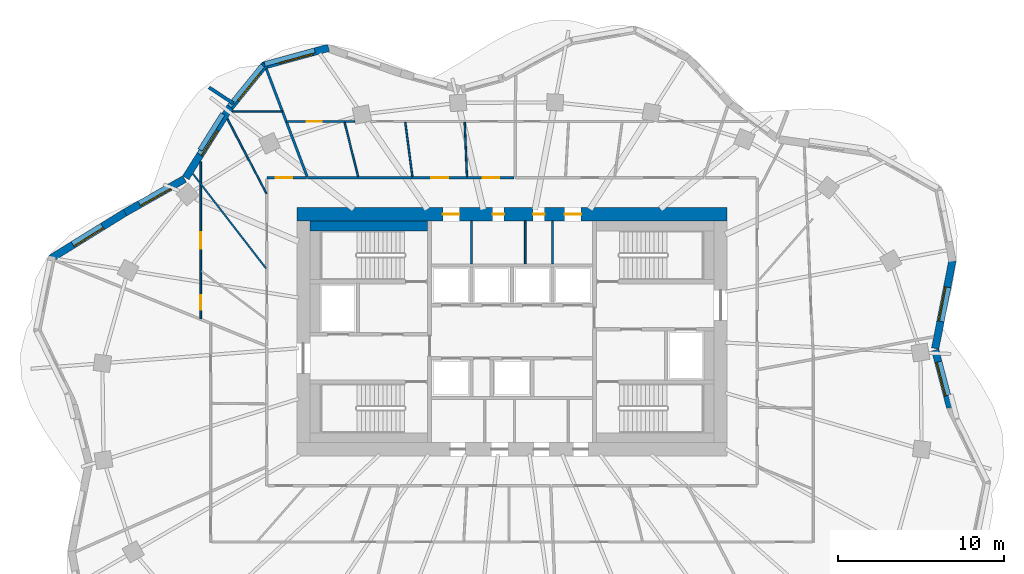
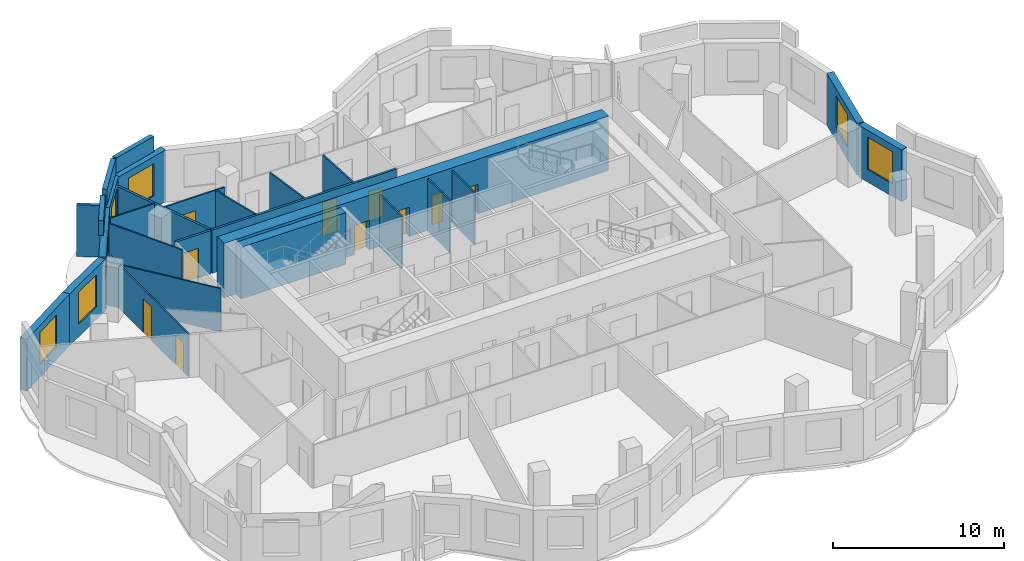
# One storey, part 7 of 10: 27 walls, 10 doors, 7 windows, 17 openings.
"""IFC4 building model written with IfcOpenShell, lengths in metres."""

from ifc_helpers import new_model, si_unit, direction, frame, frame_2d, origin, place, context, subcontext, project, spatial, rectangle, extrude, material, layer, layer_set, type_object, element, fill, save


model = new_model("IFC4")

# Units and contexts
model_context = context("Model", 3, precision=1e-05, world=origin(), true_north=direction((0.0, 1.0)))
body_context = subcontext(model_context, "Body", "Model", "MODEL_VIEW")
ifc_project = project(units=[si_unit("LENGTHUNIT", "METRE"), si_unit("AREAUNIT", "SQUARE_METRE"), si_unit("VOLUMEUNIT", "CUBIC_METRE"), si_unit("PLANEANGLEUNIT", "RADIAN"), si_unit("MASSUNIT", "GRAM", prefix="KILO")], contexts=[model_context])

# Site, building, storey
site_placement = place(None, origin())
site = spatial("IfcSite", under=ifc_project, at=site_placement, CompositionType="ELEMENT")
building_placement = place(site_placement, origin())
building = spatial("IfcBuilding", under=site, at=building_placement, Name="Rubra Terraces Tower", CompositionType="ELEMENT")
storey_placement = place(building_placement, frame((0.0, 0.0, 256.5)))
storey = spatial("IfcBuildingStorey", under=building, at=storey_placement, Name="L63", CompositionType="ELEMENT", Elevation=256.5)

# Wall, opening, window
ifc_material_1 = material(Name="Brick masonry red-brown", Category="masonry")
ifc_layer_1 = layer(ifc_material_1, 0.449951171875)
ifc_layer_set_1 = layer_set([ifc_layer_1], Name="Brick masonry red-brown")
wall_type_1 = type_object("IfcWallType", Name="Brick facade wall 450", PredefinedType="SOLIDWALL", material=ifc_layer_set_1)
wall_1_placement = place(storey_placement, frame((26.469482421875, -0.0791015625, 0.0), z_axis=(0.0, 0.0, 1.0), x_axis=(-0.252446779859, 0.967610780913, 0.0)))
wall_1 = element("IfcWall", 1, at=wall_1_placement, inside=storey, type_object=wall_type_1, Name="Facade wall L63 bay 1", PredefinedType="SOLIDWALL", context=body_context, shape_type="SweptSolid", body=[
    extrude(rectangle(XDim=3.5947265625, YDim=0.449951171875, at=frame_2d((1.79736328125, 0.0))), origin(), (0.0, 0.0, 1.0), 3.699951171875),
])
opening_1_placement = place(wall_1_placement, frame((0.747314453125, 0.0, 0.89990234375)))
opening_1 = element("IfcOpeningElement", 2, at=opening_1_placement, cuts=wall_1, Name="Opening W1B", PredefinedType="OPENING", context=body_context, shape_type="SweptSolid", body=[
    extrude(rectangle(XDim=2.10009765625, YDim=2.300048828125, at=frame_2d((1.050048828125, 1.14990234375))), frame((0.0, 0.23486328125, 0.0), z_axis=(0.0, -1.0, 0.0), x_axis=(1.0, 0.0, 0.0)), (0.0, 0.0, 1.0), 0.469970703125),
])
ifc_material_2 = material(Name="Clear glass in aluminium frame", Category="aluminium")
window_type_1 = type_object("IfcWindowType", Name="Fixed deep-set window tall storey 2100 x 2300", PartitioningType="SINGLE_PANEL", PredefinedType="WINDOW", material=ifc_material_2)
window_1_placement = place(opening_1_placement, origin())
window_1 = element("IfcWindow", 3, at=window_1_placement, inside=storey, type_object=window_type_1, Name="Window L63 bay 1", OverallHeight=2.300048828125, OverallWidth=2.10009765625, PartitioningType="SINGLE_PANEL", PredefinedType="WINDOW", context=body_context, shape_type="SweptSolid", body=[
    extrude(rectangle(XDim=2.10009765625, YDim=2.300048828125, at=frame_2d((1.050048828125, 1.14990234375))), frame((0.0, 0.135009765625, 0.0), z_axis=(0.0, -1.0, 0.0), x_axis=(1.0, 0.0, 0.0)), (0.0, 0.0, 1.0), 0.06005859375),
])
fill(opening_1, window_1)

wall_2_placement = place(storey_placement, frame((25.561279296875, 3.490478515625, 0.0), z_axis=(0.0, 0.0, 1.0), x_axis=(0.192494026297, 0.981298145234, 0.0)))
wall_2 = element("IfcWall", 4, at=wall_2_placement, inside=storey, type_object=wall_type_1, Name="Facade wall L63 bay 2", PredefinedType="SOLIDWALL", context=body_context, shape_type="SweptSolid", body=[
    extrude(rectangle(XDim=5.446044921875, YDim=0.449951171875, at=frame_2d((2.72314453125, 0.0))), origin(), (0.0, 0.0, 1.0), 3.699951171875),
])
opening_2_placement = place(wall_2_placement, frame((1.673095703125, 0.0, 0.89990234375)))
opening_2 = element("IfcOpeningElement", 5, at=opening_2_placement, cuts=wall_2, Name="Opening W1B", PredefinedType="OPENING", context=body_context, shape_type="SweptSolid", body=[
    extrude(rectangle(XDim=2.10009765625, YDim=2.300048828125, at=frame_2d((1.050048828125, 1.14990234375))), frame((0.0, 0.23486328125, 0.0), z_axis=(0.0, -1.0, 0.0), x_axis=(1.0, 0.0, 0.0)), (0.0, 0.0, 1.0), 0.469970703125),
])
window_2_placement = place(opening_2_placement, origin())
window_2 = element("IfcWindow", 6, at=window_2_placement, inside=storey, type_object=window_type_1, Name="Window L63 bay 2", OverallHeight=2.300048828125, OverallWidth=2.10009765625, PartitioningType="SINGLE_PANEL", PredefinedType="WINDOW", context=body_context, shape_type="SweptSolid", body=[
    extrude(rectangle(XDim=2.10009765625, YDim=2.300048828125, at=frame_2d((1.050048828125, 1.14990234375))), frame((0.0, 0.135009765625, 0.0), z_axis=(0.0, -1.0, 0.0), x_axis=(1.0, 0.0, 0.0)), (0.0, 0.0, 1.0), 0.06005859375),
])
fill(opening_2, window_2)

wall_3_placement = place(storey_placement, frame((-11.08251953125, 21.64990234375, 0.0), z_axis=(0.0, 0.0, 1.0), x_axis=(-0.964483204983, -0.264144179011, 0.0)))
wall_3 = element("IfcWall", 7, at=wall_3_placement, inside=storey, type_object=wall_type_1, Name="Facade wall L63 bay 14", PredefinedType="SOLIDWALL", context=body_context, shape_type="SweptSolid", body=[
    extrude(rectangle(XDim=4.103759765625, YDim=0.449951171875, at=frame_2d((2.0517578125, 0.0))), origin(), (0.0, 0.0, 1.0), 3.699951171875),
])
opening_3_placement = place(wall_3_placement, frame((1.001953125, 0.0, 0.89990234375)))
opening_3 = element("IfcOpeningElement", 8, at=opening_3_placement, cuts=wall_3, Name="Opening W1B", PredefinedType="OPENING", context=body_context, shape_type="SweptSolid", body=[
    extrude(rectangle(XDim=2.10009765625, YDim=2.300048828125, at=frame_2d((1.050048828125, 1.14990234375))), frame((0.0, 0.23486328125, 0.0), z_axis=(0.0, -1.0, 0.0), x_axis=(1.0, 0.0, 0.0)), (0.0, 0.0, 1.0), 0.469970703125),
])
window_3_placement = place(opening_3_placement, origin())
window_3 = element("IfcWindow", 9, at=window_3_placement, inside=storey, type_object=window_type_1, Name="Window L63 bay 14", OverallHeight=2.300048828125, OverallWidth=2.10009765625, PartitioningType="SINGLE_PANEL", PredefinedType="WINDOW", context=body_context, shape_type="SweptSolid", body=[
    extrude(rectangle(XDim=2.10009765625, YDim=2.300048828125, at=frame_2d((1.050048828125, 1.14990234375))), frame((0.0, 0.135009765625, 0.0), z_axis=(0.0, -1.0, 0.0), x_axis=(1.0, 0.0, 0.0)), (0.0, 0.0, 1.0), 0.06005859375),
])
fill(opening_3, window_3)

wall_4_placement = place(storey_placement, frame((-14.925537109375, 20.640869140625, 0.0), z_axis=(0.0, 0.0, 1.0), x_axis=(-0.631548074669, -0.775336720001, 0.0)))
wall_4 = element("IfcWall", 10, at=wall_4_placement, inside=storey, type_object=wall_type_1, Name="Facade wall L63 bay 15", PredefinedType="SOLIDWALL", context=body_context, shape_type="SweptSolid", body=[
    extrude(rectangle(XDim=3.3076171875, YDim=0.449951171875, at=frame_2d((1.65380859375, 0.0))), origin(), (0.0, 0.0, 1.0), 3.699951171875),
])
opening_4_placement = place(wall_4_placement, frame((0.603759765625, 0.0, 0.89990234375)))
opening_4 = element("IfcOpeningElement", 11, at=opening_4_placement, cuts=wall_4, Name="Opening W1B", PredefinedType="OPENING", context=body_context, shape_type="SweptSolid", body=[
    extrude(rectangle(XDim=2.10009765625, YDim=2.300048828125, at=frame_2d((1.050048828125, 1.14990234375))), frame((0.0, 0.23486328125, 0.0), z_axis=(0.0, -1.0, 0.0), x_axis=(1.0, 0.0, 0.0)), (0.0, 0.0, 1.0), 0.469970703125),
])
window_4_placement = place(opening_4_placement, origin())
window_4 = element("IfcWindow", 12, at=window_4_placement, inside=storey, type_object=window_type_1, Name="Window L63 bay 15", OverallHeight=2.300048828125, OverallWidth=2.10009765625, PartitioningType="SINGLE_PANEL", PredefinedType="WINDOW", context=body_context, shape_type="SweptSolid", body=[
    extrude(rectangle(XDim=2.10009765625, YDim=2.300048828125, at=frame_2d((1.050048828125, 1.14990234375))), frame((0.0, 0.135009765625, 0.0), z_axis=(0.0, -1.0, 0.0), x_axis=(1.0, 0.0, 0.0)), (0.0, 0.0, 1.0), 0.06005859375),
])
fill(opening_4, window_4)

wall_5_placement = place(storey_placement, frame((-16.998291015625, 18.0986328125, 0.0), z_axis=(0.0, 0.0, 1.0), x_axis=(-0.532745661304, -0.846275404559, 0.0)))
wall_5 = element("IfcWall", 13, at=wall_5_placement, inside=storey, type_object=wall_type_1, Name="Facade wall L63 bay 16", PredefinedType="SOLIDWALL", context=body_context, shape_type="SweptSolid", body=[
    extrude(rectangle(XDim=5.076171875, YDim=0.449951171875, at=frame_2d((2.5380859375, 0.0))), origin(), (0.0, 0.0, 1.0), 3.699951171875),
])
opening_5_placement = place(wall_5_placement, frame((1.63818359375, 0.0, 0.89990234375)))
opening_5 = element("IfcOpeningElement", 14, at=opening_5_placement, cuts=wall_5, Name="Opening W6B", PredefinedType="OPENING", context=body_context, shape_type="SweptSolid", body=[
    extrude(rectangle(XDim=1.800048828125, YDim=2.300048828125, at=frame_2d((0.89990234375, 1.14990234375))), frame((0.0, 0.23486328125, 0.0), z_axis=(0.0, -1.0, 0.0), x_axis=(1.0, 0.0, 0.0)), (0.0, 0.0, 1.0), 0.469970703125),
])
window_type_2 = type_object("IfcWindowType", Name="Fixed deep-set window at wind fin tall storey 1800 x 2300", PartitioningType="SINGLE_PANEL", PredefinedType="WINDOW", material=ifc_material_2)
window_5_placement = place(opening_5_placement, origin())
window_5 = element("IfcWindow", 15, at=window_5_placement, inside=storey, type_object=window_type_2, Name="Window L63 bay 16", OverallHeight=2.300048828125, OverallWidth=1.800048828125, PartitioningType="SINGLE_PANEL", PredefinedType="WINDOW", context=body_context, shape_type="SweptSolid", body=[
    extrude(rectangle(XDim=1.800048828125, YDim=2.300048828125, at=frame_2d((0.89990234375, 1.14990234375))), frame((0.0, 0.135009765625, 0.0), z_axis=(0.0, -1.0, 0.0), x_axis=(1.0, 0.0, 0.0)), (0.0, 0.0, 1.0), 0.06005859375),
])
fill(opening_5, window_5)

wall_6_placement = place(storey_placement, frame((-19.77587890625, 13.730712890625, 0.0), z_axis=(0.0, 0.0, 1.0), x_axis=(-0.870610133829, -0.491973571318, 0.0)))
wall_6 = element("IfcWall", 16, at=wall_6_placement, inside=storey, type_object=wall_type_1, Name="Facade wall L63 bay 17", PredefinedType="SOLIDWALL", context=body_context, shape_type="SweptSolid", body=[
    extrude(rectangle(XDim=4.1337890625, YDim=0.449951171875, at=frame_2d((2.06689453125, 0.0))), origin(), (0.0, 0.0, 1.0), 3.699951171875),
])
opening_6_placement = place(wall_6_placement, frame((1.016845703125, 0.0, 0.89990234375)))
opening_6 = element("IfcOpeningElement", 17, at=opening_6_placement, cuts=wall_6, Name="Opening W1B", PredefinedType="OPENING", context=body_context, shape_type="SweptSolid", body=[
    extrude(rectangle(XDim=2.10009765625, YDim=2.300048828125, at=frame_2d((1.050048828125, 1.14990234375))), frame((0.0, 0.23486328125, 0.0), z_axis=(0.0, -1.0, 0.0), x_axis=(1.0, 0.0, 0.0)), (0.0, 0.0, 1.0), 0.469970703125),
])
window_6_placement = place(opening_6_placement, origin())
window_6 = element("IfcWindow", 18, at=window_6_placement, inside=storey, type_object=window_type_1, Name="Window L63 bay 17", OverallHeight=2.300048828125, OverallWidth=2.10009765625, PartitioningType="SINGLE_PANEL", PredefinedType="WINDOW", context=body_context, shape_type="SweptSolid", body=[
    extrude(rectangle(XDim=2.10009765625, YDim=2.300048828125, at=frame_2d((1.050048828125, 1.14990234375))), frame((0.0, 0.135009765625, 0.0), z_axis=(0.0, -1.0, 0.0), x_axis=(1.0, 0.0, 0.0)), (0.0, 0.0, 1.0), 0.06005859375),
])
fill(opening_6, window_6)

wall_7_placement = place(storey_placement, frame((-23.368408203125, 11.700927734375, 0.0), z_axis=(0.0, 0.0, 1.0), x_axis=(-0.850251408633, -0.526376806211, 0.0)))
wall_7 = element("IfcWall", 19, at=wall_7_placement, inside=storey, type_object=wall_type_1, Name="Facade wall L63 bay 18", PredefinedType="SOLIDWALL", context=body_context, shape_type="SweptSolid", body=[
    extrude(rectangle(XDim=5.30224609375, YDim=0.449951171875, at=frame_2d((2.651123046875, 0.0))), origin(), (0.0, 0.0, 1.0), 3.699951171875),
])
opening_7_placement = place(wall_7_placement, frame((1.601318359375, 0.0, 0.89990234375)))
opening_7 = element("IfcOpeningElement", 20, at=opening_7_placement, cuts=wall_7, Name="Opening W1B", PredefinedType="OPENING", context=body_context, shape_type="SweptSolid", body=[
    extrude(rectangle(XDim=2.10009765625, YDim=2.300048828125, at=frame_2d((1.050048828125, 1.14990234375))), frame((0.0, 0.23486328125, 0.0), z_axis=(0.0, -1.0, 0.0), x_axis=(1.0, 0.0, 0.0)), (0.0, 0.0, 1.0), 0.469970703125),
])
window_7_placement = place(opening_7_placement, origin())
window_7 = element("IfcWindow", 21, at=window_7_placement, inside=storey, type_object=window_type_1, Name="Window L63 bay 18", OverallHeight=2.300048828125, OverallWidth=2.10009765625, PartitioningType="SINGLE_PANEL", PredefinedType="WINDOW", context=body_context, shape_type="SweptSolid", body=[
    extrude(rectangle(XDim=2.10009765625, YDim=2.300048828125, at=frame_2d((1.050048828125, 1.14990234375))), frame((0.0, 0.135009765625, 0.0), z_axis=(0.0, -1.0, 0.0), x_axis=(1.0, 0.0, 0.0)), (0.0, 0.0, 1.0), 0.06005859375),
])
fill(opening_7, window_7)

# Walls
ifc_layer_2 = layer(ifc_material_1, 0.300048828125)
ifc_layer_set_2 = layer_set([ifc_layer_2], Name="Brick masonry red-brown")
wall_type_2 = type_object("IfcWallType", Name="Brick parapet 300", PredefinedType="PARAPET", material=ifc_layer_set_2)
wall_8_placement = place(storey_placement, frame((-11.916259765625, 21.49951171875, 3.89990234375), z_axis=(0.0, 0.0, 1.0), x_axis=(-0.964473787466, -0.264178563271, 0.0)))
element("IfcWall", 22, at=wall_8_placement, inside=storey, type_object=wall_type_2, Name="Parapet L63 bay 14", PredefinedType="PARAPET", context=body_context, shape_type="SweptSolid", body=[
    extrude(rectangle(XDim=3.1337890625, YDim=0.300048828125, at=frame_2d((1.56689453125, 0.0))), origin(), (0.0, 0.0, 1.0), 1.10009765625),
])
wall_9_placement = place(storey_placement, frame((-15.063232421875, 20.590576171875, 3.89990234375), z_axis=(0.0, 0.0, 1.0), x_axis=(-0.631539712948, -0.775343530939, 0.0)))
element("IfcWall", 23, at=wall_9_placement, inside=storey, type_object=wall_type_2, Name="Parapet L63 bay 15", PredefinedType="PARAPET", context=body_context, shape_type="SweptSolid", body=[
    extrude(rectangle(XDim=3.181640625, YDim=0.300048828125, at=frame_2d((1.5908203125, 0.0))), origin(), (0.0, 0.0, 1.0), 1.10009765625),
])
wall_10_placement = place(storey_placement, frame((-17.4658203125, 17.663818359375, 3.89990234375), z_axis=(0.0, 0.0, 1.0), x_axis=(-0.532743008157, -0.846277074758, 0.0)))
element("IfcWall", 24, at=wall_10_placement, inside=storey, type_object=wall_type_2, Name="Parapet L63 bay 16", PredefinedType="PARAPET", context=body_context, shape_type="SweptSolid", body=[
    extrude(rectangle(XDim=2.58056640625, YDim=0.300048828125, at=frame_2d((1.290283203125, 0.0))), origin(), (0.0, 0.0, 1.0), 1.10009765625),
])
ifc_layer_3 = layer(ifc_material_1, 0.199951171875)
ifc_layer_set_3 = layer_set([ifc_layer_3], Name="Brick masonry red-brown")
wall_type_3 = type_object("IfcWallType", Name="Brick wind fin 200", PredefinedType="SOLIDWALL", material=ifc_layer_set_3)
wall_11_placement = place(storey_placement, frame((-16.837890625, 18.298095703125, 0.0), z_axis=(0.0, 0.0, 1.0), x_axis=(-0.835871900419, 0.548924554097, 0.0)))
element("IfcWall", 25, at=wall_11_placement, inside=storey, type_object=wall_type_3, Name="Wind fin L63 9", PredefinedType="SOLIDWALL", context=body_context, shape_type="SweptSolid", body=[
    extrude(rectangle(XDim=1.750244140625, YDim=0.199951171875, at=frame_2d((0.875, 0.0))), origin(), (0.0, 0.0, 1.0), 3.699951171875),
])

# Wall, openings, doors
ifc_material_3 = material(Name="Concrete C50", Category="concrete")
ifc_layer_4 = layer(ifc_material_3, 0.800048828125)
ifc_layer_set_4 = layer_set([ifc_layer_4], Name="Concrete C50")
wall_type_4 = type_object("IfcWallType", Name="CORE WALL 800 C50", PredefinedType="SHEAR", material=ifc_layer_set_4)
wall_12_placement = place(storey_placement, frame((-13.0, 11.60009765625, 0.0), z_axis=(0.0, 0.0, 1.0), x_axis=(1.0, 0.0, 0.0)))
wall_12 = element("IfcWall", 26, at=wall_12_placement, inside=storey, type_object=wall_type_4, Name="CORE WALL N L63", PredefinedType="SHEAR", context=body_context, shape_type="SweptSolid", body=[
    extrude(rectangle(XDim=26.0, YDim=0.800048828125, at=frame_2d((13.0, 0.0))), origin(), (0.0, 0.0, 1.0), 3.89990234375),
])
opening_8_placement = place(wall_12_placement, frame((8.824951171875, 0.0, 0.0)))
opening_8 = element("IfcOpeningElement", 27, at=opening_8_placement, cuts=wall_12, Name="Opening L63.C25", PredefinedType="OPENING", context=body_context, shape_type="SweptSolid", body=[
    extrude(rectangle(XDim=1.0, YDim=2.10009765625, at=frame_2d((0.5, 1.050048828125))), frame((0.0, 0.409912109375, 0.0), z_axis=(0.0, -1.0, 0.0), x_axis=(1.0, 0.0, 0.0)), (0.0, 0.0, 1.0), 0.820068359375),
])
opening_9_placement = place(wall_12_placement, frame((11.824951171875, 0.0, 0.0)))
opening_9 = element("IfcOpeningElement", 28, at=opening_9_placement, cuts=wall_12, Name="Opening L63.C26", PredefinedType="OPENING", context=body_context, shape_type="SweptSolid", body=[
    extrude(rectangle(XDim=0.699951171875, YDim=2.10009765625, at=frame_2d((0.35009765625, 1.050048828125))), frame((0.0, 0.409912109375, 0.0), z_axis=(0.0, -1.0, 0.0), x_axis=(1.0, 0.0, 0.0)), (0.0, 0.0, 1.0), 0.820068359375),
])
opening_10_placement = place(wall_12_placement, frame((14.27490234375, 0.0, 0.0)))
opening_10 = element("IfcOpeningElement", 29, at=opening_10_placement, cuts=wall_12, Name="Opening L63.C27", PredefinedType="OPENING", context=body_context, shape_type="SweptSolid", body=[
    extrude(rectangle(XDim=0.699951171875, YDim=2.10009765625, at=frame_2d((0.35009765625, 1.050048828125))), frame((0.0, 0.409912109375, 0.0), z_axis=(0.0, -1.0, 0.0), x_axis=(1.0, 0.0, 0.0)), (0.0, 0.0, 1.0), 0.820068359375),
])
opening_11_placement = place(wall_12_placement, frame((16.175048828125, 0.0, 0.0)))
opening_11 = element("IfcOpeningElement", 30, at=opening_11_placement, cuts=wall_12, Name="Opening L63.C28", PredefinedType="OPENING", context=body_context, shape_type="SweptSolid", body=[
    extrude(rectangle(XDim=1.0, YDim=2.10009765625, at=frame_2d((0.5, 1.050048828125))), frame((0.0, 0.409912109375, 0.0), z_axis=(0.0, -1.0, 0.0), x_axis=(1.0, 0.0, 0.0)), (0.0, 0.0, 1.0), 0.820068359375),
])
ifc_material_4 = material(Name="Painted steel", Category="steel")
door_type_1 = type_object("IfcDoorType", Name="Fire door 1000x2100 single", OperationType="NOTDEFINED", PredefinedType="DOOR", material=ifc_material_4)
door_1_placement = place(opening_8_placement, origin())
door_1 = element("IfcDoor", 31, at=door_1_placement, inside=storey, type_object=door_type_1, Name="Security and building control room door", OperationType="SINGLE_SWING_LEFT", OverallHeight=2.10009765625, OverallWidth=1.0, PredefinedType="DOOR", context=body_context, shape_type="SweptSolid", body=[
    extrude(rectangle(XDim=1.0, YDim=2.10009765625, at=frame_2d((0.5, 1.050048828125))), frame((0.0, 0.02490234375, 0.0), z_axis=(0.0, -1.0, 0.0), x_axis=(1.0, 0.0, 0.0)), (0.0, 0.0, 1.0), 0.050048828125),
])
fill(opening_8, door_1)
door_2_placement = place(opening_11_placement, origin())
door_2 = element("IfcDoor", 32, at=door_2_placement, inside=storey, type_object=door_type_1, Name="Guest pantry door", OperationType="SINGLE_SWING_RIGHT", OverallHeight=2.10009765625, OverallWidth=1.0, PredefinedType="DOOR", context=body_context, shape_type="SweptSolid", body=[
    extrude(rectangle(XDim=1.0, YDim=2.10009765625, at=frame_2d((0.5, 1.050048828125))), frame((0.0, 0.02490234375, 0.0), z_axis=(0.0, -1.0, 0.0), x_axis=(1.0, 0.0, 0.0)), (0.0, 0.0, 1.0), 0.050048828125),
])
fill(opening_11, door_2)
door_type_2 = type_object("IfcDoorType", Name="Riser access door 700x2100 single", OperationType="NOTDEFINED", PredefinedType="DOOR", material=ifc_material_4)
door_3_placement = place(opening_9_placement, origin())
door_3 = element("IfcDoor", 33, at=door_3_placement, inside=storey, type_object=door_type_2, Name="Telecoms room door", OperationType="SINGLE_SWING_RIGHT", OverallHeight=2.10009765625, OverallWidth=0.699951171875, PredefinedType="DOOR", context=body_context, shape_type="SweptSolid", body=[
    extrude(rectangle(XDim=0.699951171875, YDim=2.10009765625, at=frame_2d((0.35009765625, 1.050048828125))), frame((0.0, 0.02490234375, 0.0), z_axis=(0.0, -1.0, 0.0), x_axis=(1.0, 0.0, 0.0)), (0.0, 0.0, 1.0), 0.050048828125),
])
fill(opening_9, door_3)
door_4_placement = place(opening_10_placement, origin())
door_4 = element("IfcDoor", 34, at=door_4_placement, inside=storey, type_object=door_type_2, Name="Water and drainage riser door", OperationType="SINGLE_SWING_LEFT", OverallHeight=2.10009765625, OverallWidth=0.699951171875, PredefinedType="DOOR", context=body_context, shape_type="SweptSolid", body=[
    extrude(rectangle(XDim=0.699951171875, YDim=2.10009765625, at=frame_2d((0.35009765625, 1.050048828125))), frame((0.0, 0.02490234375, 0.0), z_axis=(0.0, -1.0, 0.0), x_axis=(1.0, 0.0, 0.0)), (0.0, 0.0, 1.0), 0.050048828125),
])
fill(opening_10, door_4)

ifc_material_5 = material(Name="Plasterboard on steel stud, mineral wool infill", Category="steel")
ifc_layer_5 = layer(ifc_material_5, 0.14990234375)
ifc_layer_set_5 = layer_set([ifc_layer_5], Name="Plasterboard on steel stud, mineral wool infill")
wall_type_5 = type_object("IfcWallType", Name="CORRIDOR PARTITION 150", PredefinedType="PARTITIONING", material=ifc_layer_set_5)
wall_13_placement = place(storey_placement, frame((0.124755859375, 13.800048828125, 0.0), z_axis=(0.0, 0.0, 1.0), x_axis=(-1.0, 0.0, 0.0)))
wall_13 = element("IfcWall", 35, at=wall_13_placement, inside=storey, type_object=wall_type_5, Name="PARTITION", PredefinedType="PARTITIONING", context=body_context, shape_type="SweptSolid", body=[
    extrude(rectangle(XDim=12.46923828125, YDim=0.14990234375, at=frame_2d((6.234619140625, 0.0))), origin(), (0.0, 0.0, 1.0), 3.083984375),
])
opening_12_placement = place(wall_13_placement, frame((0.883056640625, 0.0, 0.0)))
opening_12 = element("IfcOpeningElement", 36, at=opening_12_placement, cuts=wall_13, Name="Opening 63-105", PredefinedType="OPENING", context=body_context, shape_type="SweptSolid", body=[
    extrude(rectangle(XDim=1.0, YDim=2.10009765625, at=frame_2d((0.5, 1.050048828125))), frame((0.0, 0.0849609375, 0.0), z_axis=(0.0, -1.0, 0.0), x_axis=(1.0, 0.0, 0.0)), (0.0, 0.0, 1.0), 0.169921875),
])
opening_13_placement = place(wall_13_placement, frame((3.987060546875, 0.0, 0.0)))
opening_13 = element("IfcOpeningElement", 37, at=opening_13_placement, cuts=wall_13, Name="Opening 63-107", PredefinedType="OPENING", context=body_context, shape_type="SweptSolid", body=[
    extrude(rectangle(XDim=1.0, YDim=2.39990234375, at=frame_2d((0.5, 1.199951171875))), frame((0.0, 0.0849609375, 0.0), z_axis=(0.0, -1.0, 0.0), x_axis=(1.0, 0.0, 0.0)), (0.0, 0.0, 1.0), 0.169921875),
])
ifc_material_6 = material(Name="Glazed aluminium meeting door leaf", Category="aluminium")
door_type_3 = type_object("IfcDoorType", Name="MEETING ROOM GLAZED DOOR 1000 X 2400", OperationType="SINGLE_SWING_LEFT", PredefinedType="DOOR", material=ifc_material_6)
door_5_placement = place(opening_13_placement, origin())
door_5 = element("IfcDoor", 38, at=door_5_placement, inside=storey, type_object=door_type_3, Name="DOOR 63-107", OperationType="SINGLE_SWING_RIGHT", OverallHeight=2.39990234375, OverallWidth=1.0, PredefinedType="DOOR", context=body_context, shape_type="SweptSolid", body=[
    extrude(rectangle(XDim=1.0, YDim=2.39990234375, at=frame_2d((0.5, 1.199951171875))), frame((0.0, 0.02490234375, 0.0), z_axis=(0.0, -1.0, 0.0), x_axis=(1.0, 0.0, 0.0)), (0.0, 0.0, 1.0), 0.050048828125),
])
fill(opening_13, door_5)
ifc_material_7 = material(Name="Painted timber door leaf", Category="wood")
door_type_4 = type_object("IfcDoorType", Name="ROOM DOOR 1000 X 2100", OperationType="SINGLE_SWING_LEFT", PredefinedType="DOOR", material=ifc_material_7)
door_6_placement = place(opening_12_placement, origin())
door_6 = element("IfcDoor", 39, at=door_6_placement, inside=storey, type_object=door_type_4, Name="DOOR 63-105", OperationType="SINGLE_SWING_RIGHT", OverallHeight=2.10009765625, OverallWidth=1.0, PredefinedType="DOOR", context=body_context, shape_type="SweptSolid", body=[
    extrude(rectangle(XDim=1.0, YDim=2.10009765625, at=frame_2d((0.5, 1.050048828125))), frame((0.0, 0.02490234375, 0.0), z_axis=(0.0, -1.0, 0.0), x_axis=(1.0, 0.0, 0.0)), (0.0, 0.0, 1.0), 0.050048828125),
])
fill(opening_12, door_6)

# Wall, opening, door
wall_14_placement = place(storey_placement, frame((-12.41943359375, 13.800048828125, 0.0), z_axis=(0.0, 0.0, 1.0), x_axis=(-1.0, 0.0, 0.0)))
wall_14 = element("IfcWall", 40, at=wall_14_placement, inside=storey, type_object=wall_type_5, Name="PARTITION", PredefinedType="PARTITIONING", context=body_context, shape_type="SweptSolid", body=[
    extrude(rectangle(XDim=2.380615234375, YDim=0.14990234375, at=frame_2d((1.1904296875, 0.0))), origin(), (0.0, 0.0, 1.0), 3.083984375),
])
opening_14_placement = place(wall_14_placement, frame((0.85009765625, 0.0, 0.0)))
opening_14 = element("IfcOpeningElement", 41, at=opening_14_placement, cuts=wall_14, Name="Opening 63-110", PredefinedType="OPENING", context=body_context, shape_type="SweptSolid", body=[
    extrude(rectangle(XDim=1.0, YDim=2.10009765625, at=frame_2d((0.5, 1.050048828125))), frame((0.0, 0.0849609375, 0.0), z_axis=(0.0, -1.0, 0.0), x_axis=(1.0, 0.0, 0.0)), (0.0, 0.0, 1.0), 0.169921875),
])
door_7_placement = place(opening_14_placement, origin())
door_7 = element("IfcDoor", 42, at=door_7_placement, inside=storey, type_object=door_type_4, Name="DOOR 63-110", OperationType="SINGLE_SWING_RIGHT", OverallHeight=2.10009765625, OverallWidth=1.0, PredefinedType="DOOR", context=body_context, shape_type="SweptSolid", body=[
    extrude(rectangle(XDim=1.0, YDim=2.10009765625, at=frame_2d((0.5, 1.050048828125))), frame((0.0, 0.02490234375, 0.0), z_axis=(0.0, -1.0, 0.0), x_axis=(1.0, 0.0, 0.0)), (0.0, 0.0, 1.0), 0.050048828125),
])
fill(opening_14, door_7)

# Wall
ifc_material_8 = material(Name="Concrete C40", Category="concrete")
ifc_layer_6 = layer(ifc_material_8, 0.60009765625)
ifc_layer_set_6 = layer_set([ifc_layer_6], Name="Concrete C40")
wall_type_6 = type_object("IfcWallType", Name="Core lining wall 600 concrete", PredefinedType="SOLIDWALL", material=ifc_layer_set_6)
wall_15_placement = place(storey_placement, frame((-12.199951171875, 10.89990234375, 0.0), z_axis=(0.0, 0.0, 1.0), x_axis=(1.0, 0.0, 0.0)))
element("IfcWall", 43, at=wall_15_placement, inside=storey, type_object=wall_type_6, Name="CORE LINING WALL L63", PredefinedType="SOLIDWALL", context=body_context, shape_type="SweptSolid", body=[
    extrude(rectangle(XDim=7.099853515625, YDim=0.60009765625, at=frame_2d((3.5498046875, 0.0))), origin(), (0.0, 0.0, 1.0), 3.699951171875),
])

# Wall, opening, door
ifc_material_9 = material(Name="Plasterboard on steel stud", Category="steel")
ifc_layer_7 = layer(ifc_material_9, 0.10009765625)
ifc_layer_set_7 = layer_set([ifc_layer_7], Name="Plasterboard on steel stud")
wall_type_7 = type_object("IfcWallType", Name="ROOM PARTITION 100", PredefinedType="PARTITIONING", material=ifc_layer_set_7)
wall_16_placement = place(storey_placement, frame((-13.6123046875, 17.199951171875, 0.0), z_axis=(0.0, 0.0, 1.0), x_axis=(1.0, 0.0, 0.0)))
wall_16 = element("IfcWall", 44, at=wall_16_placement, inside=storey, type_object=wall_type_7, Name="PARTITION", PredefinedType="PARTITIONING", context=body_context, shape_type="SweptSolid", body=[
    extrude(rectangle(XDim=4.10888671875, YDim=0.10009765625, at=frame_2d((2.054443359375, 0.0))), origin(), (0.0, 0.0, 1.0), 3.083984375),
])
opening_15_placement = place(wall_16_placement, frame((1.22900390625, 0.0, 0.0)))
opening_15 = element("IfcOpeningElement", 45, at=opening_15_placement, cuts=wall_16, Name="Opening 63-109", PredefinedType="OPENING", context=body_context, shape_type="SweptSolid", body=[
    extrude(rectangle(XDim=0.89990234375, YDim=2.10009765625, at=frame_2d((0.449951171875, 1.050048828125))), frame((0.0, 0.06005859375, 0.0), z_axis=(0.0, -1.0, 0.0), x_axis=(1.0, 0.0, 0.0)), (0.0, 0.0, 1.0), 0.1201171875),
])
door_type_5 = type_object("IfcDoorType", Name="ROOM DOOR 900 X 2100", OperationType="SINGLE_SWING_LEFT", PredefinedType="DOOR", material=ifc_material_7)
door_8_placement = place(opening_15_placement, origin())
door_8 = element("IfcDoor", 46, at=door_8_placement, inside=storey, type_object=door_type_5, Name="DOOR 63-109", OperationType="SINGLE_SWING_LEFT", OverallHeight=2.10009765625, OverallWidth=0.89990234375, PredefinedType="DOOR", context=body_context, shape_type="SweptSolid", body=[
    extrude(rectangle(XDim=0.89990234375, YDim=2.10009765625, at=frame_2d((0.449951171875, 1.050048828125))), frame((0.0, 0.02490234375, 0.0), z_axis=(0.0, -1.0, 0.0), x_axis=(1.0, 0.0, 0.0)), (0.0, 0.0, 1.0), 0.050048828125),
])
fill(opening_15, door_8)

# Walls
wall_17_placement = place(storey_placement, frame((-2.72021484375, 13.875, 0.0), z_axis=(0.0, 0.0, 1.0), x_axis=(-0.042008508326, 0.999117252993, 0.0)))
element("IfcWall", 47, at=wall_17_placement, inside=storey, type_object=wall_type_7, Name="PARTITION", PredefinedType="PARTITIONING", context=body_context, shape_type="SweptSolid", body=[
    extrude(rectangle(XDim=3.27783203125, YDim=0.10009765625, at=frame_2d((1.638916015625, 0.0))), origin(), (0.0, 0.0, 1.0), 3.083984375),
])
wall_18_placement = place(storey_placement, frame((-6.01708984375, 13.87451171875, 0.0), z_axis=(0.0, 0.0, 1.0), x_axis=(-0.12990779889, 0.991526078219, 0.0)))
element("IfcWall", 48, at=wall_18_placement, inside=storey, type_object=wall_type_7, Name="PARTITION", PredefinedType="PARTITIONING", context=body_context, shape_type="SweptSolid", body=[
    extrude(rectangle(XDim=3.303955078125, YDim=0.10009765625, at=frame_2d((1.65185546875, 0.0))), origin(), (0.0, 0.0, 1.0), 3.083984375),
])
wall_19_placement = place(storey_placement, frame((-9.298095703125, 13.872802734375, 0.0), z_axis=(0.0, 0.0, 1.0), x_axis=(-0.239779199404, 0.970827448898, 0.0)))
element("IfcWall", 49, at=wall_19_placement, inside=storey, type_object=wall_type_7, Name="PARTITION", PredefinedType="PARTITIONING", context=body_context, shape_type="SweptSolid", body=[
    extrude(rectangle(XDim=3.37744140625, YDim=0.10009765625, at=frame_2d((1.688720703125, 0.0))), origin(), (0.0, 0.0, 1.0), 3.083984375),
])

# Wall, openings, doors
wall_20_placement = place(storey_placement, frame((-18.800048828125, 5.2744140625, 0.0), z_axis=(0.0, 0.0, 1.0), x_axis=(0.0, 1.0, 0.0)))
wall_20 = element("IfcWall", 50, at=wall_20_placement, inside=storey, type_object=wall_type_7, Name="PARTITION", PredefinedType="PARTITIONING", context=body_context, shape_type="SweptSolid", body=[
    extrude(rectangle(XDim=9.50244140625, YDim=0.10009765625, at=frame_2d((4.751220703125, 0.0))), origin(), (0.0, 0.0, 1.0), 3.083984375),
])
opening_16_placement = place(wall_20_placement, frame((0.544921875, 0.0, 0.0)))
opening_16 = element("IfcOpeningElement", 51, at=opening_16_placement, cuts=wall_20, Name="Opening 63-113", PredefinedType="OPENING", context=body_context, shape_type="SweptSolid", body=[
    extrude(rectangle(XDim=0.89990234375, YDim=2.10009765625, at=frame_2d((0.449951171875, 1.050048828125))), frame((0.0, 0.06005859375, 0.0), z_axis=(0.0, -1.0, 0.0), x_axis=(1.0, 0.0, 0.0)), (0.0, 0.0, 1.0), 0.1201171875),
])
opening_17_placement = place(wall_20_placement, frame((4.25, 0.0, 0.0)))
opening_17 = element("IfcOpeningElement", 52, at=opening_17_placement, cuts=wall_20, Name="Opening 63-135", PredefinedType="OPENING", context=body_context, shape_type="SweptSolid", body=[
    extrude(rectangle(XDim=1.0, YDim=2.39990234375, at=frame_2d((0.5, 1.199951171875))), frame((0.0, 0.06005859375, 0.0), z_axis=(0.0, -1.0, 0.0), x_axis=(1.0, 0.0, 0.0)), (0.0, 0.0, 1.0), 0.1201171875),
])
door_9_placement = place(opening_17_placement, origin())
door_9 = element("IfcDoor", 53, at=door_9_placement, inside=storey, type_object=door_type_3, Name="DOOR 63-135", OperationType="SINGLE_SWING_LEFT", OverallHeight=2.39990234375, OverallWidth=1.0, PredefinedType="DOOR", context=body_context, shape_type="SweptSolid", body=[
    extrude(rectangle(XDim=1.0, YDim=2.39990234375, at=frame_2d((0.5, 1.199951171875))), frame((0.0, 0.02490234375, 0.0), z_axis=(0.0, -1.0, 0.0), x_axis=(1.0, 0.0, 0.0)), (0.0, 0.0, 1.0), 0.050048828125),
])
fill(opening_17, door_9)
door_10_placement = place(opening_16_placement, origin())
door_10 = element("IfcDoor", 54, at=door_10_placement, inside=storey, type_object=door_type_5, Name="DOOR 63-113", OperationType="SINGLE_SWING_LEFT", OverallHeight=2.10009765625, OverallWidth=0.89990234375, PredefinedType="DOOR", context=body_context, shape_type="SweptSolid", body=[
    extrude(rectangle(XDim=0.89990234375, YDim=2.10009765625, at=frame_2d((0.449951171875, 1.050048828125))), frame((0.0, 0.02490234375, 0.0), z_axis=(0.0, -1.0, 0.0), x_axis=(1.0, 0.0, 0.0)), (0.0, 0.0, 1.0), 0.050048828125),
])
fill(opening_16, door_10)

# Walls
wall_21_placement = place(storey_placement, frame((-16.896728515625, 17.800048828125, 0.0), z_axis=(0.0, 0.0, 1.0), x_axis=(1.0, 0.0, 0.0)))
element("IfcWall", 55, at=wall_21_placement, inside=storey, type_object=wall_type_7, Name="PARTITION", PredefinedType="PARTITIONING", context=body_context, shape_type="SweptSolid", body=[
    extrude(rectangle(XDim=3.01416015625, YDim=0.10009765625, at=frame_2d((1.507080078125, 0.0))), origin(), (0.0, 0.0, 1.0), 3.083984375),
])
wall_22_placement = place(storey_placement, frame((-14.834716796875, 12.858154296875, 0.0), z_axis=(0.0, 0.0, 1.0), x_axis=(-0.46402494572, 0.885822132118, 0.0)))
element("IfcWall", 56, at=wall_22_placement, inside=storey, type_object=wall_type_7, Name="PARTITION", PredefinedType="PARTITIONING", context=body_context, shape_type="SweptSolid", body=[
    extrude(rectangle(XDim=5.08203125, YDim=0.10009765625, at=frame_2d((2.541015625, 0.0))), origin(), (0.0, 0.0, 1.0), 3.083984375),
])
wall_23_placement = place(storey_placement, frame((-14.845947265625, 8.314453125, 0.0), z_axis=(0.0, 0.0, 1.0), x_axis=(-0.611503154594, 0.791241993275, 0.0)))
element("IfcWall", 57, at=wall_23_placement, inside=storey, type_object=wall_type_7, Name="PARTITION", PredefinedType="PARTITIONING", context=body_context, shape_type="SweptSolid", body=[
    extrude(rectangle(XDim=7.2412109375, YDim=0.10009765625, at=frame_2d((3.62060546875, 0.0))), origin(), (0.0, 0.0, 1.0), 3.083984375),
])
ifc_layer_8 = layer(ifc_material_9, 0.14990234375)
ifc_layer_set_8 = layer_set([ifc_layer_8], Name="Plasterboard on steel stud")
wall_type_8 = type_object("IfcWallType", Name="ROOM PARTITION 150", PredefinedType="PARTITIONING", material=ifc_layer_set_8)
wall_24_placement = place(storey_placement, frame((-14.840576171875, 20.3828125, 0.0), z_axis=(0.0, 0.0, 1.0), x_axis=(0.354547510081, -0.935038000883, 0.0)))
element("IfcWall", 58, at=wall_24_placement, inside=storey, type_object=wall_type_8, Name="PARTITION", PredefinedType="PARTITIONING", context=body_context, shape_type="SweptSolid", body=[
    extrude(rectangle(XDim=6.965087890625, YDim=0.14990234375, at=frame_2d((3.482421875, 0.0))), origin(), (0.0, 0.0, 1.0), 3.083984375),
])
ifc_material_10 = material(Name="Blockwork", Category="masonry")
ifc_layer_9 = layer(ifc_material_10, 0.10009765625)
ifc_layer_set_9 = layer_set([ifc_layer_9], Name="Blockwork")
wall_type_9 = type_object("IfcWallType", Name="Service partition 100 blockwork", PredefinedType="PARTITIONING", material=ifc_layer_set_9)
for number, where, z_axis, x_axis, name in (
    (59, (-2.449951171875, 8.60009765625, 0.0), (0.0, 0.0, 1.0), (0.0, 1.0, 0.0), "SERVICE ROOM PARTITION L63"),
    (60, (0.800048828125, 8.60009765625, 0.0), (0.0, 0.0, 1.0), (0.0, 1.0, 0.0), "SERVICE ROOM PARTITION L63"),
    (61, (2.449951171875, 8.60009765625, 0.0), (0.0, 0.0, 1.0), (0.0, 1.0, 0.0), "SERVICE ROOM PARTITION L63"),
):
    element("IfcWall", number, at=place(storey_placement, frame(where, z_axis=z_axis, x_axis=x_axis)), inside=storey, type_object=wall_type_9, Name=name, PredefinedType="PARTITIONING", context=body_context, shape_type="SweptSolid", body=[
        extrude(rectangle(XDim=2.599853515625, YDim=0.10009765625, at=frame_2d((1.2998046875, 0.0))), origin(), (0.0, 0.0, 1.0), 3.699951171875),
    ])

save(model, "model.ifc")
